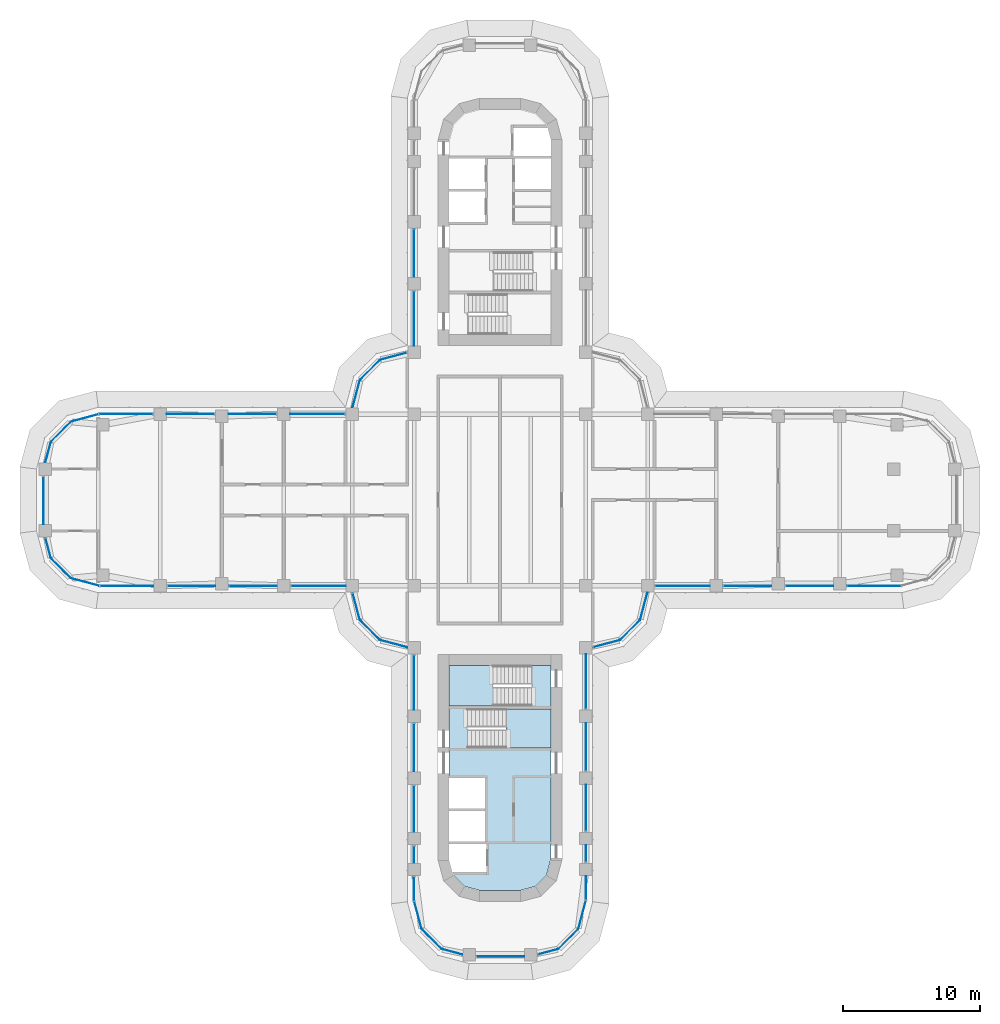
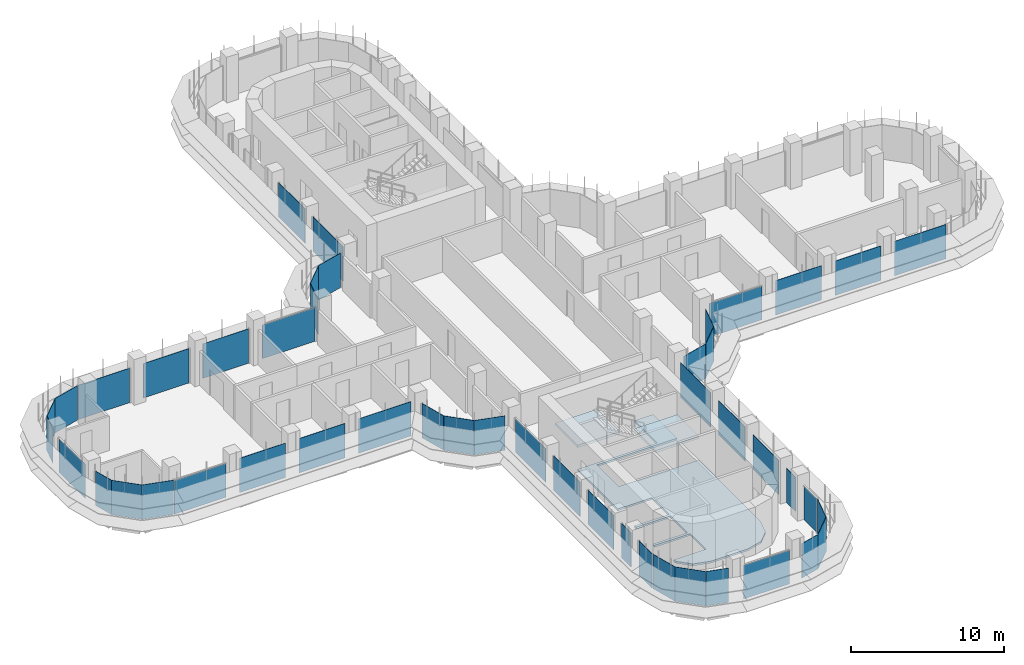
# One storey, part 13 of 23: 47 plates, 3 slabs, 31 elements without a shape of their own.
"""IFC4 building model written with IfcOpenShell, lengths in metres."""

from ifc_helpers import new_model, si_unit, direction, frame, origin, place, context, subcontext, project, spatial, polyline, outline, extrude, source, transform, mapped, material, layer, layer_set, type_object, element, aggregate, save


model = new_model("IFC4")

# Units and contexts
model_context = context("Model", 3, precision=1e-05, world=origin(), true_north=direction((0.0, 1.0)))
body_context = subcontext(model_context, "Body", "Model", "MODEL_VIEW")
ifc_project = project(units=[si_unit("LENGTHUNIT", "METRE"), si_unit("AREAUNIT", "SQUARE_METRE"), si_unit("VOLUMEUNIT", "CUBIC_METRE"), si_unit("PLANEANGLEUNIT", "RADIAN"), si_unit("MASSUNIT", "GRAM", prefix="KILO")], contexts=[model_context])

# Site, building, storey
site_placement = place(None, origin())
site = spatial("IfcSite", under=ifc_project, at=site_placement, CompositionType="ELEMENT")
building_placement = place(site_placement, origin())
building = spatial("IfcBuilding", under=site, at=building_placement, Name="Zarbagh Exchange Tower", CompositionType="ELEMENT")
storey_placement = place(building_placement, frame((0.0, 0.0, 86.60009765625)))
storey = spatial("IfcBuildingStorey", under=building, at=storey_placement, Name="L19", CompositionType="ELEMENT", Elevation=86.60009765625)

# Slab
ifc_material_1 = material(Name="Concrete C40/50", Category="concrete")
ifc_layer_1 = layer(ifc_material_1, 0.14990234375)
ifc_layer_set_1 = layer_set([ifc_layer_1], Name="Core floor slab 150 C40/50")
slab_type_1 = type_object("IfcSlabType", Name="Core floor slab 150 C40/50", PredefinedType="FLOOR", material=ifc_layer_set_1)
slab_1_placement = place(storey_placement, frame((0.0, 0.0, -0.150146484375)))
element("IfcSlab", 1, at=slab_1_placement, inside=storey, type_object=slab_type_1, Name="S17 core S", PredefinedType="FLOOR", context=body_context, shape_type="SweptSolid", body=[
    extrude(outline(polyline([(-2.5859375, -28.130859375), (-3.380859375, -27.3359375), (-3.646484375, -26.3447265625), (-3.444091796875, -27.10009765625), (-1.0, -27.10009765625), (-1.0, -25.050048828125), (-3.699951171875, -25.050048828125), (-3.699951171875, -24.85009765625), (-1.10009765625, -24.85009765625), (-1.10009765625, -22.64990234375), (-3.699951171875, -22.64990234375), (-3.699951171875, -22.449951171875), (-1.10009765625, -22.449951171875), (-1.10009765625, -20.25), (-3.699951171875, -20.25), (-3.699951171875, -15.0), (2.300048828125, -15.0), (2.300048828125, -12.050048828125), (3.699951171875, -12.050048828125), (3.699951171875, -15.199951171875), (-2.35009765625, -15.199951171875), (-2.35009765625, -18.050048828125), (3.699951171875, -18.050048828125), (3.699951171875, -26.144775390625), (3.380859375, -27.3359375), (2.5859375, -28.130859375), (1.394775390625, -28.449951171875), (-1.394775390625, -28.449951171875), (-2.5859375, -28.130859375)])), origin(), (0.0, 0.0, 1.0), 0.150146484375),
])

# Stair, slab
stair_type = type_object("IfcStairType", Name="Exit stair two-flight half-turn", PredefinedType="HALF_TURN_STAIR", material=ifc_material_1)
stair_1_placement = place(storey_placement, origin())
stair_1 = element("IfcStair", 2, at=stair_1_placement, inside=storey, type_object=stair_type, Name="exit stair ST3", PredefinedType="HALF_TURN_STAIR")
ifc_layer_2 = layer(ifc_material_1, 0.199951171875)
ifc_layer_set_2 = layer_set([ifc_layer_2], Name="Stair landing 200 mm")
slab_type_2 = type_object("IfcSlabType", Name="Stair landing 200 mm", PredefinedType="LANDING", material=ifc_layer_set_2)
slab_2_placement = place(storey_placement, frame((0.0, 0.0, 1.699951171875)))
slab_2 = element("IfcSlab", 3, at=slab_2_placement, type_object=slab_type_2, Name="ST3 landing 1", PredefinedType="LANDING", context=body_context, shape_type="SweptSolid", body=[
    extrude(outline(polyline([(0.449951171875, -18.050048828125), (3.699951171875, -18.050048828125), (3.699951171875, -15.199951171875), (0.449951171875, -15.199951171875), (0.449951171875, -18.050048828125)])), origin(), (0.0, 0.0, 1.0), 0.199951171875),
])
aggregate(stair_1, [slab_2])

stair_2_placement = place(storey_placement, origin())
stair_2 = element("IfcStair", 4, at=stair_2_placement, inside=storey, type_object=stair_type, Name="exit stair ST4", PredefinedType="HALF_TURN_STAIR")
slab_3_placement = place(storey_placement, frame((0.0, 0.0, 1.699951171875)))
slab_3 = element("IfcSlab", 5, at=slab_3_placement, type_object=slab_type_2, Name="ST4 landing 1", PredefinedType="LANDING", context=body_context, shape_type="SweptSolid", body=[
    extrude(outline(polyline([(-0.5, -12.050048828125), (-3.699951171875, -12.050048828125), (-3.699951171875, -15.0), (-0.5, -15.0), (-0.5, -12.050048828125)])), origin(), (0.0, 0.0, 1.0), 0.199951171875),
])
aggregate(stair_2, [slab_3])

# Curtain wall, plate
ifc_material_2 = material(Name="Anodised aluminium frame and glazing", Category="aluminium")
curtain_wall_type = type_object("IfcCurtainWallType", Name="CWA Ribbon glazing, lower zones", PredefinedType="NOTDEFINED", material=ifc_material_2)
curtain_wall_1_placement = place(storey_placement, origin())
curtain_wall_1 = element("IfcCurtainWall", 6, at=curtain_wall_1_placement, inside=storey, type_object=curtain_wall_type, Name="CWA01 curtain wall", PredefinedType="NOTDEFINED")
ifc_material_3 = material(Name="Low-e double glazed unit, 6+12+6 mm")
ifc_layer_3 = layer(ifc_material_3, 0.028076171875)
ifc_layer_set_3 = layer_set([ifc_layer_3], Name="PAA Glazing panel, Low-e double glazed unit, 6+12+6 mm")
plate_type = type_object("IfcPlateType", Name="PAA Glazing panel, Low-e double glazed unit, 6+12+6 mm", PredefinedType="CURTAIN_PANEL", material=ifc_layer_set_3)
shared_shape_1 = source(origin(), body_context, "Body", "SweptSolid", [
    extrude(outline(polyline([(0.0, -0.013916015625), (1.494140625, -0.013916015625), (1.494140625, 0.013916015625), (0.0, 0.013916015625), (0.0, -0.013916015625)])), origin(), (0.0, 0.0, 1.0), 2.75),
])
placement = place(storey_placement, origin())
plate_1 = element("IfcPlate", 7, at=placement, type_object=plate_type, Name="CWA01 glazing panel 1.1", PredefinedType="CURTAIN_PANEL", context=body_context, shape_type="MappedRepresentation", body=[
    mapped(shared_shape_1, transform((2.7978515625, -33.08544921875, 0.0), x_axis=(0.965924289636, 0.258824779902, 0.0), y_axis=(-0.258824779902, 0.965924289636, 0.0), z_axis=(0.0, 0.0, 1.0))),
])
aggregate(curtain_wall_1, [plate_1])

curtain_wall_2_placement = place(storey_placement, origin())
curtain_wall_2 = element("IfcCurtainWall", 8, at=curtain_wall_2_placement, inside=storey, type_object=curtain_wall_type, Name="CWA37 curtain wall", PredefinedType="NOTDEFINED")
plate_2 = element("IfcPlate", 9, at=placement, type_object=plate_type, Name="CWA37 glazing panel 1.1", PredefinedType="CURTAIN_PANEL", context=body_context, shape_type="MappedRepresentation", body=[
    mapped(shared_shape_1, transform((-33.08544921875, -2.7978515625, 0.0), x_axis=(0.258824779902, -0.965924289636, 0.0), y_axis=(0.965924289636, 0.258824779902, 0.0), z_axis=(0.0, 0.0, 1.0))),
])
aggregate(curtain_wall_2, [plate_2])

curtain_wall_3_placement = place(storey_placement, origin())
curtain_wall_3 = element("IfcCurtainWall", 10, at=curtain_wall_3_placement, inside=storey, type_object=curtain_wall_type, Name="CWA02 curtain wall", PredefinedType="NOTDEFINED")
shared_shape_2 = source(origin(), body_context, "Body", "SweptSolid", [
    extrude(outline(polyline([(0.0, -0.013916015625), (2.061279296875, -0.013916015625), (2.061279296875, 0.013916015625), (0.0, 0.013916015625), (0.0, -0.013916015625)])), origin(), (0.0, 0.0, 1.0), 2.75),
])
plate_3 = element("IfcPlate", 11, at=placement, type_object=plate_type, Name="CWA02 glazing panel 1.1", PredefinedType="CURTAIN_PANEL", context=body_context, shape_type="MappedRepresentation", body=[
    mapped(shared_shape_2, transform((4.2412109375, -32.69873046875, 0.0), x_axis=(0.707106781187, 0.707106781187, 0.0), y_axis=(-0.707106781187, 0.707106781187, 0.0), z_axis=(0.0, 0.0, 1.0))),
])
aggregate(curtain_wall_3, [plate_3])

curtain_wall_4_placement = place(storey_placement, origin())
curtain_wall_4 = element("IfcCurtainWall", 12, at=curtain_wall_4_placement, inside=storey, type_object=curtain_wall_type, Name="CWA06 curtain wall", PredefinedType="NOTDEFINED")
plate_4 = element("IfcPlate", 13, at=placement, type_object=plate_type, Name="CWA06 glazing panel 1.1", PredefinedType="CURTAIN_PANEL", context=body_context, shape_type="MappedRepresentation", body=[
    mapped(shared_shape_2, transform((8.7412109375, -10.19873046875, 0.0), x_axis=(0.707106781187, 0.707106781187, 0.0), y_axis=(-0.707106781187, 0.707106781187, 0.0), z_axis=(0.0, 0.0, 1.0))),
])
aggregate(curtain_wall_4, [plate_4])

curtain_wall_5_placement = place(storey_placement, origin())
curtain_wall_5 = element("IfcCurtainWall", 14, at=curtain_wall_5_placement, inside=storey, type_object=curtain_wall_type, Name="CWA30 curtain wall", PredefinedType="NOTDEFINED")
plate_5 = element("IfcPlate", 15, at=placement, type_object=plate_type, Name="CWA30 glazing panel 1.1", PredefinedType="CURTAIN_PANEL", context=body_context, shape_type="MappedRepresentation", body=[
    mapped(shared_shape_2, transform((-8.7412109375, 10.19873046875, 0.0), x_axis=(-0.707106781187, -0.707106781187, 0.0), y_axis=(0.707106781187, -0.707106781187, 0.0), z_axis=(0.0, 0.0, 1.0))),
])
aggregate(curtain_wall_5, [plate_5])

curtain_wall_6_placement = place(storey_placement, origin())
curtain_wall_6 = element("IfcCurtainWall", 16, at=curtain_wall_6_placement, inside=storey, type_object=curtain_wall_type, Name="CWA34 curtain wall", PredefinedType="NOTDEFINED")
plate_6 = element("IfcPlate", 17, at=placement, type_object=plate_type, Name="CWA34 glazing panel 1.1", PredefinedType="CURTAIN_PANEL", context=body_context, shape_type="MappedRepresentation", body=[
    mapped(shared_shape_2, transform((-31.2412109375, 5.69873046875, 0.0), x_axis=(-0.707106781187, -0.707106781187, 0.0), y_axis=(0.707106781187, -0.707106781187, 0.0), z_axis=(0.0, 0.0, 1.0))),
])
aggregate(curtain_wall_6, [plate_6])

curtain_wall_7_placement = place(storey_placement, origin())
curtain_wall_7 = element("IfcCurtainWall", 18, at=curtain_wall_7_placement, inside=storey, type_object=curtain_wall_type, Name="CWA38 curtain wall", PredefinedType="NOTDEFINED")
plate_7 = element("IfcPlate", 19, at=placement, type_object=plate_type, Name="CWA38 glazing panel 1.1", PredefinedType="CURTAIN_PANEL", context=body_context, shape_type="MappedRepresentation", body=[
    mapped(shared_shape_2, transform((-32.69873046875, -4.2412109375, 0.0), x_axis=(0.707106781187, -0.707106781187, 0.0), y_axis=(0.707106781187, 0.707106781187, 0.0), z_axis=(0.0, 0.0, 1.0))),
])
aggregate(curtain_wall_7, [plate_7])

curtain_wall_8_placement = place(storey_placement, origin())
curtain_wall_8 = element("IfcCurtainWall", 20, at=curtain_wall_8_placement, inside=storey, type_object=curtain_wall_type, Name="CWA42 curtain wall", PredefinedType="NOTDEFINED")
plate_8 = element("IfcPlate", 21, at=placement, type_object=plate_type, Name="CWA42 glazing panel 1.1", PredefinedType="CURTAIN_PANEL", context=body_context, shape_type="MappedRepresentation", body=[
    mapped(shared_shape_2, transform((-10.19873046875, -8.7412109375, 0.0), x_axis=(0.707106781187, -0.707106781187, 0.0), y_axis=(0.707106781187, 0.707106781187, 0.0), z_axis=(0.0, 0.0, 1.0))),
])
aggregate(curtain_wall_8, [plate_8])

curtain_wall_9_placement = place(storey_placement, origin())
curtain_wall_9 = element("IfcCurtainWall", 22, at=curtain_wall_9_placement, inside=storey, type_object=curtain_wall_type, Name="CWA46 curtain wall", PredefinedType="NOTDEFINED")
plate_9 = element("IfcPlate", 23, at=placement, type_object=plate_type, Name="CWA46 glazing panel 1.1", PredefinedType="CURTAIN_PANEL", context=body_context, shape_type="MappedRepresentation", body=[
    mapped(shared_shape_2, transform((-5.69873046875, -31.2412109375, 0.0), x_axis=(0.707106781187, -0.707106781187, 0.0), y_axis=(0.707106781187, 0.707106781187, 0.0), z_axis=(0.0, 0.0, 1.0))),
])
aggregate(curtain_wall_9, [plate_9])

curtain_wall_10_placement = place(storey_placement, origin())
curtain_wall_10 = element("IfcCurtainWall", 24, at=curtain_wall_10_placement, inside=storey, type_object=curtain_wall_type, Name="CWA03 curtain wall", PredefinedType="NOTDEFINED")
shared_shape_3 = source(origin(), body_context, "Body", "SweptSolid", [
    extrude(outline(polyline([(0.0, -0.013916015625), (2.129638671875, -0.013916015625), (2.129638671875, 0.013916015625), (0.0, 0.013916015625), (0.0, -0.013916015625)])), origin(), (0.0, 0.0, 1.0), 2.75),
])
plate_10 = element("IfcPlate", 25, at=placement, type_object=plate_type, Name="CWA03 glazing panel 1.1", PredefinedType="CURTAIN_PANEL", context=body_context, shape_type="MappedRepresentation", body=[
    mapped(shared_shape_3, transform((5.69873046875, -31.2412109375, 0.0), x_axis=(0.258824779902, 0.965924289636, 0.0), y_axis=(-0.965924289636, 0.258824779902, 0.0), z_axis=(0.0, 0.0, 1.0))),
])
aggregate(curtain_wall_10, [plate_10])

curtain_wall_11_placement = place(storey_placement, origin())
curtain_wall_11 = element("IfcCurtainWall", 26, at=curtain_wall_11_placement, inside=storey, type_object=curtain_wall_type, Name="CWA39 curtain wall", PredefinedType="NOTDEFINED")
plate_11 = element("IfcPlate", 27, at=placement, type_object=plate_type, Name="CWA39 glazing panel 1.1", PredefinedType="CURTAIN_PANEL", context=body_context, shape_type="MappedRepresentation", body=[
    mapped(shared_shape_3, transform((-31.2412109375, -5.69873046875, 0.0), x_axis=(0.965924289636, -0.258824779902, 0.0), y_axis=(0.258824779902, 0.965924289636, 0.0), z_axis=(0.0, 0.0, 1.0))),
])
aggregate(curtain_wall_11, [plate_11])

# Curtain wall, plates
curtain_wall_12_placement = place(storey_placement, origin())
curtain_wall_12 = element("IfcCurtainWall", 28, at=curtain_wall_12_placement, inside=storey, type_object=curtain_wall_type, Name="CWA04 curtain wall", PredefinedType="NOTDEFINED")
shared_shape_4 = source(origin(), body_context, "Body", "SweptSolid", [
    extrude(outline(polyline([(0.0, -0.013916015625), (1.734130859375, -0.013916015625), (1.734130859375, 0.013916015625), (0.0, 0.013916015625), (0.0, -0.013916015625)])), origin(), (0.0, 0.0, 1.0), 2.68994140625),
])
plate_12 = element("IfcPlate", 29, at=placement, type_object=plate_type, Name="CWA04 glazing panel 1.1", PredefinedType="CURTAIN_PANEL", context=body_context, shape_type="MappedRepresentation", body=[
    mapped(shared_shape_4, transform((6.25, -29.124267578125, 0.0), x_axis=(0.0, 1.0, 0.0), y_axis=(-1.0, 0.0, 0.0), z_axis=(0.0, 0.0, 1.0))),
])
shared_shape_5 = source(origin(), body_context, "Body", "SweptSolid", [
    extrude(outline(polyline([(0.0, -0.013916015625), (1.2099609375, -0.013916015625), (1.2099609375, 0.013916015625), (0.0, 0.013916015625), (0.0, -0.013916015625)])), origin(), (0.0, 0.0, 1.0), 2.75),
])
plate_13 = element("IfcPlate", 30, at=placement, type_object=plate_type, Name="CWA04 glazing panel 2.1", PredefinedType="CURTAIN_PANEL", context=body_context, shape_type="MappedRepresentation", body=[
    mapped(shared_shape_5, transform((6.25, -26.349853515625, 0.0), x_axis=(0.0, 1.0, 0.0), y_axis=(-1.0, 0.0, 0.0), z_axis=(0.0, 0.0, 1.0))),
])

# Curtain wall, plate
curtain_wall_13_placement = place(storey_placement, origin())
curtain_wall_13 = element("IfcCurtainWall", 31, at=curtain_wall_13_placement, inside=storey, type_object=curtain_wall_type, Name="CWA44 curtain wall", PredefinedType="NOTDEFINED")
plate_14 = element("IfcPlate", 32, at=placement, type_object=plate_type, Name="CWA44 glazing panel 4.1", PredefinedType="CURTAIN_PANEL", context=body_context, shape_type="MappedRepresentation", body=[
    mapped(shared_shape_5, transform((-6.25, -25.199951171875, 0.0), x_axis=(0.0, -1.0, 0.0), y_axis=(1.0, 0.0, 0.0), z_axis=(0.0, 0.0, 1.0))),
])

# Plate
shared_shape_6 = source(origin(), body_context, "Body", "SweptSolid", [
    extrude(outline(polyline([(0.0, -0.013916015625), (3.360107421875, -0.013916015625), (3.360107421875, 0.013916015625), (0.0, 0.013916015625), (0.0, -0.013916015625)])), origin(), (0.0, 0.0, 1.0), 2.75),
])
plate_15 = element("IfcPlate", 33, at=placement, type_object=plate_type, Name="CWA04 glazing panel 3.1", PredefinedType="CURTAIN_PANEL", context=body_context, shape_type="MappedRepresentation", body=[
    mapped(shared_shape_6, transform((6.25, -24.099853515625, 0.0), x_axis=(0.0, 1.0, 0.0), y_axis=(-1.0, 0.0, 0.0), z_axis=(0.0, 0.0, 1.0))),
])

plate_16 = element("IfcPlate", 34, at=placement, type_object=plate_type, Name="CWA44 glazing panel 3.1", PredefinedType="CURTAIN_PANEL", context=body_context, shape_type="MappedRepresentation", body=[
    mapped(shared_shape_6, transform((-6.25, -20.800048828125, 0.0), x_axis=(0.0, -1.0, 0.0), y_axis=(1.0, 0.0, 0.0), z_axis=(0.0, 0.0, 1.0))),
])

shared_shape_7 = source(origin(), body_context, "Body", "SweptSolid", [
    extrude(outline(polyline([(0.0, -0.013916015625), (3.4599609375, -0.013916015625), (3.4599609375, 0.013916015625), (0.0, 0.013916015625), (0.0, -0.013916015625)])), origin(), (0.0, 0.0, 1.0), 2.75),
])
plate_17 = element("IfcPlate", 35, at=placement, type_object=plate_type, Name="CWA04 glazing panel 4.1", PredefinedType="CURTAIN_PANEL", context=body_context, shape_type="MappedRepresentation", body=[
    mapped(shared_shape_7, transform((6.25, -19.699951171875, 0.0), x_axis=(0.0, 1.0, 0.0), y_axis=(-1.0, 0.0, 0.0), z_axis=(0.0, 0.0, 1.0))),
])

# Curtain wall, plates
curtain_wall_14_placement = place(storey_placement, origin())
curtain_wall_14 = element("IfcCurtainWall", 36, at=curtain_wall_14_placement, inside=storey, type_object=curtain_wall_type, Name="CWA08 curtain wall", PredefinedType="NOTDEFINED")
plate_18 = element("IfcPlate", 37, at=placement, type_object=plate_type, Name="CWA08 glazing panel 2.1", PredefinedType="CURTAIN_PANEL", context=body_context, shape_type="MappedRepresentation", body=[
    mapped(shared_shape_7, transform((16.300048828125, -6.25, 0.0), x_axis=(1.0, 0.0, 0.0), y_axis=(0.0, 1.0, 0.0), z_axis=(0.0, 0.0, 1.0))),
])
plate_19 = element("IfcPlate", 38, at=placement, type_object=plate_type, Name="CWA08 glazing panel 3.1", PredefinedType="CURTAIN_PANEL", context=body_context, shape_type="MappedRepresentation", body=[
    mapped(shared_shape_7, transform((20.800048828125, -6.25, 0.0), x_axis=(1.0, 0.0, 0.0), y_axis=(0.0, 1.0, 0.0), z_axis=(0.0, 0.0, 1.0))),
])

# Curtain wall, plate
curtain_wall_15_placement = place(storey_placement, origin())
curtain_wall_15 = element("IfcCurtainWall", 39, at=curtain_wall_15_placement, inside=storey, type_object=curtain_wall_type, Name="CWA28 curtain wall", PredefinedType="NOTDEFINED")
plate_20 = element("IfcPlate", 40, at=placement, type_object=plate_type, Name="CWA28 glazing panel 4.1", PredefinedType="CURTAIN_PANEL", context=body_context, shape_type="MappedRepresentation", body=[
    mapped(shared_shape_7, transform((-6.25, 19.699951171875, 0.0), x_axis=(0.0, -1.0, 0.0), y_axis=(1.0, 0.0, 0.0), z_axis=(0.0, 0.0, 1.0))),
])

# Curtain wall, plates
curtain_wall_16_placement = place(storey_placement, origin())
curtain_wall_16 = element("IfcCurtainWall", 41, at=curtain_wall_16_placement, inside=storey, type_object=curtain_wall_type, Name="CWA32 curtain wall", PredefinedType="NOTDEFINED")
plate_21 = element("IfcPlate", 42, at=placement, type_object=plate_type, Name="CWA32 glazing panel 2.1", PredefinedType="CURTAIN_PANEL", context=body_context, shape_type="MappedRepresentation", body=[
    mapped(shared_shape_7, transform((-16.300048828125, 6.25, 0.0), x_axis=(-1.0, 0.0, 0.0), y_axis=(0.0, -1.0, 0.0), z_axis=(0.0, 0.0, 1.0))),
])
plate_22 = element("IfcPlate", 43, at=placement, type_object=plate_type, Name="CWA32 glazing panel 3.1", PredefinedType="CURTAIN_PANEL", context=body_context, shape_type="MappedRepresentation", body=[
    mapped(shared_shape_7, transform((-20.800048828125, 6.25, 0.0), x_axis=(-1.0, 0.0, 0.0), y_axis=(0.0, -1.0, 0.0), z_axis=(0.0, 0.0, 1.0))),
])

curtain_wall_17_placement = place(storey_placement, origin())
curtain_wall_17 = element("IfcCurtainWall", 44, at=curtain_wall_17_placement, inside=storey, type_object=curtain_wall_type, Name="CWA40 curtain wall", PredefinedType="NOTDEFINED")
plate_23 = element("IfcPlate", 45, at=placement, type_object=plate_type, Name="CWA40 glazing panel 2.1", PredefinedType="CURTAIN_PANEL", context=body_context, shape_type="MappedRepresentation", body=[
    mapped(shared_shape_7, transform((-24.199951171875, -6.25, 0.0), x_axis=(1.0, 0.0, 0.0), y_axis=(0.0, 1.0, 0.0), z_axis=(0.0, 0.0, 1.0))),
])
plate_24 = element("IfcPlate", 46, at=placement, type_object=plate_type, Name="CWA40 glazing panel 3.1", PredefinedType="CURTAIN_PANEL", context=body_context, shape_type="MappedRepresentation", body=[
    mapped(shared_shape_7, transform((-19.699951171875, -6.25, 0.0), x_axis=(1.0, 0.0, 0.0), y_axis=(0.0, 1.0, 0.0), z_axis=(0.0, 0.0, 1.0))),
])

# Plate
plate_25 = element("IfcPlate", 47, at=placement, type_object=plate_type, Name="CWA44 glazing panel 2.1", PredefinedType="CURTAIN_PANEL", context=body_context, shape_type="MappedRepresentation", body=[
    mapped(shared_shape_7, transform((-6.25, -16.300048828125, 0.0), x_axis=(0.0, -1.0, 0.0), y_axis=(1.0, 0.0, 0.0), z_axis=(0.0, 0.0, 1.0))),
])

shared_shape_8 = source(origin(), body_context, "Body", "SweptSolid", [
    extrude(outline(polyline([(0.0, -0.013916015625), (3.9599609375, -0.013916015625), (3.9599609375, 0.013916015625), (0.0, 0.013916015625), (0.0, -0.013916015625)])), origin(), (0.0, 0.0, 1.0), 2.75),
])
plate_26 = element("IfcPlate", 48, at=placement, type_object=plate_type, Name="CWA04 glazing panel 5.1", PredefinedType="CURTAIN_PANEL", context=body_context, shape_type="MappedRepresentation", body=[
    mapped(shared_shape_8, transform((6.25, -15.199951171875, 0.0), x_axis=(0.0, 1.0, 0.0), y_axis=(-1.0, 0.0, 0.0), z_axis=(0.0, 0.0, 1.0))),
])

aggregate(curtain_wall_12, [plate_12, plate_13, plate_15, plate_17, plate_26])

plate_27 = element("IfcPlate", 49, at=placement, type_object=plate_type, Name="CWA28 glazing panel 5.1", PredefinedType="CURTAIN_PANEL", context=body_context, shape_type="MappedRepresentation", body=[
    mapped(shared_shape_8, transform((-6.25, 15.199951171875, 0.0), x_axis=(0.0, -1.0, 0.0), y_axis=(1.0, 0.0, 0.0), z_axis=(0.0, 0.0, 1.0))),
])

aggregate(curtain_wall_15, [plate_20, plate_27])

plate_28 = element("IfcPlate", 50, at=placement, type_object=plate_type, Name="CWA40 glazing panel 4.1", PredefinedType="CURTAIN_PANEL", context=body_context, shape_type="MappedRepresentation", body=[
    mapped(shared_shape_8, transform((-15.199951171875, -6.25, 0.0), x_axis=(1.0, 0.0, 0.0), y_axis=(0.0, 1.0, 0.0), z_axis=(0.0, 0.0, 1.0))),
])

# Curtain wall, plate
curtain_wall_18_placement = place(storey_placement, origin())
curtain_wall_18 = element("IfcCurtainWall", 51, at=curtain_wall_18_placement, inside=storey, type_object=curtain_wall_type, Name="CWA05 curtain wall", PredefinedType="NOTDEFINED")
shared_shape_9 = source(origin(), body_context, "Body", "SweptSolid", [
    extrude(outline(polyline([(0.0, -0.013916015625), (2.01171875, -0.013916015625), (2.01171875, 0.013916015625), (0.0, 0.013916015625), (0.0, -0.013916015625)])), origin(), (0.0, 0.0, 1.0), 2.75),
])
plate_29 = element("IfcPlate", 52, at=placement, type_object=plate_type, Name="CWA05 glazing panel 1.1", PredefinedType="CURTAIN_PANEL", context=body_context, shape_type="MappedRepresentation", body=[
    mapped(shared_shape_9, transform((6.7978515625, -10.719482421875, 0.0), x_axis=(0.965924289636, 0.258824779902, 0.0), y_axis=(-0.258824779902, 0.965924289636, 0.0), z_axis=(0.0, 0.0, 1.0))),
])
aggregate(curtain_wall_18, [plate_29])

curtain_wall_19_placement = place(storey_placement, origin())
curtain_wall_19 = element("IfcCurtainWall", 53, at=curtain_wall_19_placement, inside=storey, type_object=curtain_wall_type, Name="CWA29 curtain wall", PredefinedType="NOTDEFINED")
plate_30 = element("IfcPlate", 54, at=placement, type_object=plate_type, Name="CWA29 glazing panel 1.1", PredefinedType="CURTAIN_PANEL", context=body_context, shape_type="MappedRepresentation", body=[
    mapped(shared_shape_9, transform((-6.7978515625, 10.719482421875, 0.0), x_axis=(-0.965924289636, -0.258824779902, 0.0), y_axis=(0.258824779902, -0.965924289636, 0.0), z_axis=(0.0, 0.0, 1.0))),
])
aggregate(curtain_wall_19, [plate_30])

curtain_wall_20_placement = place(storey_placement, origin())
curtain_wall_20 = element("IfcCurtainWall", 55, at=curtain_wall_20_placement, inside=storey, type_object=curtain_wall_type, Name="CWA41 curtain wall", PredefinedType="NOTDEFINED")
plate_31 = element("IfcPlate", 56, at=placement, type_object=plate_type, Name="CWA41 glazing panel 1.1", PredefinedType="CURTAIN_PANEL", context=body_context, shape_type="MappedRepresentation", body=[
    mapped(shared_shape_9, transform((-10.719482421875, -6.7978515625, 0.0), x_axis=(0.258824779902, -0.965924289636, 0.0), y_axis=(0.965924289636, 0.258824779902, 0.0), z_axis=(0.0, 0.0, 1.0))),
])
aggregate(curtain_wall_20, [plate_31])

curtain_wall_21_placement = place(storey_placement, origin())
curtain_wall_21 = element("IfcCurtainWall", 57, at=curtain_wall_21_placement, inside=storey, type_object=curtain_wall_type, Name="CWA07 curtain wall", PredefinedType="NOTDEFINED")
shared_shape_10 = source(origin(), body_context, "Body", "SweptSolid", [
    extrude(outline(polyline([(0.0, -0.013916015625), (2.07177734375, -0.013916015625), (2.07177734375, 0.013916015625), (0.0, 0.013916015625), (0.0, -0.013916015625)])), origin(), (0.0, 0.0, 1.0), 2.75),
])
plate_32 = element("IfcPlate", 58, at=placement, type_object=plate_type, Name="CWA07 glazing panel 1.1", PredefinedType="CURTAIN_PANEL", context=body_context, shape_type="MappedRepresentation", body=[
    mapped(shared_shape_10, transform((10.19873046875, -8.7412109375, 0.0), x_axis=(0.258824779902, 0.965924289636, 0.0), y_axis=(-0.965924289636, 0.258824779902, 0.0), z_axis=(0.0, 0.0, 1.0))),
])
aggregate(curtain_wall_21, [plate_32])

curtain_wall_22_placement = place(storey_placement, origin())
curtain_wall_22 = element("IfcCurtainWall", 59, at=curtain_wall_22_placement, inside=storey, type_object=curtain_wall_type, Name="CWA31 curtain wall", PredefinedType="NOTDEFINED")
plate_33 = element("IfcPlate", 60, at=placement, type_object=plate_type, Name="CWA31 glazing panel 1.1", PredefinedType="CURTAIN_PANEL", context=body_context, shape_type="MappedRepresentation", body=[
    mapped(shared_shape_10, transform((-10.19873046875, 8.7412109375, 0.0), x_axis=(-0.258824779902, -0.965924289636, 0.0), y_axis=(0.965924289636, -0.258824779902, 0.0), z_axis=(0.0, 0.0, 1.0))),
])
aggregate(curtain_wall_22, [plate_33])

curtain_wall_23_placement = place(storey_placement, origin())
curtain_wall_23 = element("IfcCurtainWall", 61, at=curtain_wall_23_placement, inside=storey, type_object=curtain_wall_type, Name="CWA43 curtain wall", PredefinedType="NOTDEFINED")
plate_34 = element("IfcPlate", 62, at=placement, type_object=plate_type, Name="CWA43 glazing panel 1.1", PredefinedType="CURTAIN_PANEL", context=body_context, shape_type="MappedRepresentation", body=[
    mapped(shared_shape_10, transform((-8.7412109375, -10.19873046875, 0.0), x_axis=(0.965924289636, -0.258824779902, 0.0), y_axis=(0.258824779902, 0.965924289636, 0.0), z_axis=(0.0, 0.0, 1.0))),
])
aggregate(curtain_wall_23, [plate_34])

# Plate
shared_shape_11 = source(origin(), body_context, "Body", "SweptSolid", [
    extrude(outline(polyline([(0.0, -0.013916015625), (3.9599609375, -0.013916015625), (3.9599609375, 0.013916015625), (0.0, 0.013916015625), (0.0, -0.013916015625)])), origin(), (0.0, 0.0, 1.0), 2.68994140625),
])
plate_35 = element("IfcPlate", 63, at=placement, type_object=plate_type, Name="CWA08 glazing panel 1.1", PredefinedType="CURTAIN_PANEL", context=body_context, shape_type="MappedRepresentation", body=[
    mapped(shared_shape_11, transform((11.300048828125, -6.25, 0.0), x_axis=(1.0, 0.0, 0.0), y_axis=(0.0, 1.0, 0.0), z_axis=(0.0, 0.0, 1.0))),
])

plate_36 = element("IfcPlate", 64, at=placement, type_object=plate_type, Name="CWA32 glazing panel 1.1", PredefinedType="CURTAIN_PANEL", context=body_context, shape_type="MappedRepresentation", body=[
    mapped(shared_shape_11, transform((-11.300048828125, 6.25, 0.0), x_axis=(-1.0, 0.0, 0.0), y_axis=(0.0, -1.0, 0.0), z_axis=(0.0, 0.0, 1.0))),
])

plate_37 = element("IfcPlate", 65, at=placement, type_object=plate_type, Name="CWA44 glazing panel 1.1", PredefinedType="CURTAIN_PANEL", context=body_context, shape_type="MappedRepresentation", body=[
    mapped(shared_shape_11, transform((-6.25, -11.300048828125, 0.0), x_axis=(0.0, -1.0, 0.0), y_axis=(1.0, 0.0, 0.0), z_axis=(0.0, 0.0, 1.0))),
])

shared_shape_12 = source(origin(), body_context, "Body", "SweptSolid", [
    extrude(outline(polyline([(0.0, -0.013916015625), (3.884033203125, -0.013916015625), (3.884033203125, 0.013916015625), (0.0, 0.013916015625), (0.0, -0.013916015625)])), origin(), (0.0, 0.0, 1.0), 2.75),
])
plate_38 = element("IfcPlate", 66, at=placement, type_object=plate_type, Name="CWA08 glazing panel 4.1", PredefinedType="CURTAIN_PANEL", context=body_context, shape_type="MappedRepresentation", body=[
    mapped(shared_shape_12, transform((25.300048828125, -6.25, 0.0), x_axis=(1.0, 0.0, 0.0), y_axis=(0.0, 1.0, 0.0), z_axis=(0.0, 0.0, 1.0))),
])

aggregate(curtain_wall_14, [plate_35, plate_18, plate_19, plate_38])

plate_39 = element("IfcPlate", 67, at=placement, type_object=plate_type, Name="CWA32 glazing panel 4.1", PredefinedType="CURTAIN_PANEL", context=body_context, shape_type="MappedRepresentation", body=[
    mapped(shared_shape_12, transform((-25.300048828125, 6.25, 0.0), x_axis=(-1.0, 0.0, 0.0), y_axis=(0.0, -1.0, 0.0), z_axis=(0.0, 0.0, 1.0))),
])

aggregate(curtain_wall_16, [plate_36, plate_21, plate_22, plate_39])

# Curtain wall, plate
curtain_wall_24_placement = place(storey_placement, origin())
curtain_wall_24 = element("IfcCurtainWall", 68, at=curtain_wall_24_placement, inside=storey, type_object=curtain_wall_type, Name="CWA33 curtain wall", PredefinedType="NOTDEFINED")
shared_shape_13 = source(origin(), body_context, "Body", "SweptSolid", [
    extrude(outline(polyline([(0.0, -0.013916015625), (2.069580078125, -0.013916015625), (2.069580078125, 0.013916015625), (0.0, 0.013916015625), (0.0, -0.013916015625)])), origin(), (0.0, 0.0, 1.0), 2.75),
])
plate_40 = element("IfcPlate", 69, at=placement, type_object=plate_type, Name="CWA33 glazing panel 1.1", PredefinedType="CURTAIN_PANEL", context=body_context, shape_type="MappedRepresentation", body=[
    mapped(shared_shape_13, transform((-29.2421875, 6.234375, 0.0), x_axis=(-0.965924289636, -0.258824779902, 0.0), y_axis=(0.258824779902, -0.965924289636, 0.0), z_axis=(0.0, 0.0, 1.0))),
])
aggregate(curtain_wall_24, [plate_40])

curtain_wall_25_placement = place(storey_placement, origin())
curtain_wall_25 = element("IfcCurtainWall", 70, at=curtain_wall_25_placement, inside=storey, type_object=curtain_wall_type, Name="CWA45 curtain wall", PredefinedType="NOTDEFINED")
plate_41 = element("IfcPlate", 71, at=placement, type_object=plate_type, Name="CWA45 glazing panel 1.1", PredefinedType="CURTAIN_PANEL", context=body_context, shape_type="MappedRepresentation", body=[
    mapped(shared_shape_13, transform((-6.234375, -29.2421875, 0.0), x_axis=(0.258824779902, -0.965924289636, 0.0), y_axis=(0.965924289636, 0.258824779902, 0.0), z_axis=(0.0, 0.0, 1.0))),
])
aggregate(curtain_wall_25, [plate_41])

curtain_wall_26_placement = place(storey_placement, origin())
curtain_wall_26 = element("IfcCurtainWall", 72, at=curtain_wall_26_placement, inside=storey, type_object=curtain_wall_type, Name="CWA35 curtain wall", PredefinedType="NOTDEFINED")
shared_shape_14 = source(origin(), body_context, "Body", "SweptSolid", [
    extrude(outline(polyline([(0.0, -0.013916015625), (1.55419921875, -0.013916015625), (1.55419921875, 0.013916015625), (0.0, 0.013916015625), (0.0, -0.013916015625)])), origin(), (0.0, 0.0, 1.0), 2.75),
])
plate_42 = element("IfcPlate", 73, at=placement, type_object=plate_type, Name="CWA35 glazing panel 1.1", PredefinedType="CURTAIN_PANEL", context=body_context, shape_type="MappedRepresentation", body=[
    mapped(shared_shape_14, transform((-32.69873046875, 4.2412109375, 0.0), x_axis=(-0.258824779902, -0.965924289636, 0.0), y_axis=(0.965924289636, -0.258824779902, 0.0), z_axis=(0.0, 0.0, 1.0))),
])
aggregate(curtain_wall_26, [plate_42])

curtain_wall_27_placement = place(storey_placement, origin())
curtain_wall_27 = element("IfcCurtainWall", 74, at=curtain_wall_27_placement, inside=storey, type_object=curtain_wall_type, Name="CWA47 curtain wall", PredefinedType="NOTDEFINED")
plate_43 = element("IfcPlate", 75, at=placement, type_object=plate_type, Name="CWA47 glazing panel 1.1", PredefinedType="CURTAIN_PANEL", context=body_context, shape_type="MappedRepresentation", body=[
    mapped(shared_shape_14, transform((-4.2412109375, -32.69873046875, 0.0), x_axis=(0.965924289636, -0.258824779902, 0.0), y_axis=(0.258824779902, 0.965924289636, 0.0), z_axis=(0.0, 0.0, 1.0))),
])
aggregate(curtain_wall_27, [plate_43])

curtain_wall_28_placement = place(storey_placement, origin())
curtain_wall_28 = element("IfcCurtainWall", 76, at=curtain_wall_28_placement, inside=storey, type_object=curtain_wall_type, Name="CWA36 curtain wall", PredefinedType="NOTDEFINED")
shared_shape_15 = source(origin(), body_context, "Body", "SweptSolid", [
    extrude(outline(polyline([(0.0, -0.013916015625), (3.4599609375, -0.013916015625), (3.4599609375, 0.013916015625), (0.0, 0.013916015625), (0.0, -0.013916015625)])), origin(), (0.0, 0.0, 1.0), 2.68994140625),
])
plate_44 = element("IfcPlate", 77, at=placement, type_object=plate_type, Name="CWA36 glazing panel 1.1", PredefinedType="CURTAIN_PANEL", context=body_context, shape_type="MappedRepresentation", body=[
    mapped(shared_shape_15, transform((-33.25, 1.699951171875, 0.0), x_axis=(0.0, -1.0, 0.0), y_axis=(1.0, 0.0, 0.0), z_axis=(0.0, 0.0, 1.0))),
])
aggregate(curtain_wall_28, [plate_44])

curtain_wall_29_placement = place(storey_placement, origin())
curtain_wall_29 = element("IfcCurtainWall", 78, at=curtain_wall_29_placement, inside=storey, type_object=curtain_wall_type, Name="CWA48 curtain wall", PredefinedType="NOTDEFINED")
plate_45 = element("IfcPlate", 79, at=placement, type_object=plate_type, Name="CWA48 glazing panel 1.1", PredefinedType="CURTAIN_PANEL", context=body_context, shape_type="MappedRepresentation", body=[
    mapped(shared_shape_15, transform((-1.699951171875, -33.25, 0.0), x_axis=(1.0, 0.0, 0.0), y_axis=(0.0, 1.0, 0.0), z_axis=(0.0, 0.0, 1.0))),
])
aggregate(curtain_wall_29, [plate_45])

# Plate
shared_shape_16 = source(origin(), body_context, "Body", "SweptSolid", [
    extrude(outline(polyline([(0.0, -0.013916015625), (3.88427734375, -0.013916015625), (3.88427734375, 0.013916015625), (0.0, 0.013916015625), (0.0, -0.013916015625)])), origin(), (0.0, 0.0, 1.0), 2.68994140625),
])
plate_46 = element("IfcPlate", 80, at=placement, type_object=plate_type, Name="CWA40 glazing panel 1.1", PredefinedType="CURTAIN_PANEL", context=body_context, shape_type="MappedRepresentation", body=[
    mapped(shared_shape_16, transform((-29.124267578125, -6.25, 0.0), x_axis=(1.0, 0.0, 0.0), y_axis=(0.0, 1.0, 0.0), z_axis=(0.0, 0.0, 1.0))),
])

aggregate(curtain_wall_17, [plate_46, plate_23, plate_24, plate_28])

shared_shape_17 = source(origin(), body_context, "Body", "SweptSolid", [
    extrude(outline(polyline([(0.0, -0.013916015625), (1.734130859375, -0.013916015625), (1.734130859375, 0.013916015625), (0.0, 0.013916015625), (0.0, -0.013916015625)])), origin(), (0.0, 0.0, 1.0), 2.75),
])
plate_47 = element("IfcPlate", 81, at=placement, type_object=plate_type, Name="CWA44 glazing panel 5.1", PredefinedType="CURTAIN_PANEL", context=body_context, shape_type="MappedRepresentation", body=[
    mapped(shared_shape_17, transform((-6.25, -27.449951171875, 0.0), x_axis=(0.0, -1.0, 0.0), y_axis=(1.0, 0.0, 0.0), z_axis=(0.0, 0.0, 1.0))),
])

aggregate(curtain_wall_13, [plate_37, plate_25, plate_16, plate_14, plate_47])

save(model, "model.ifc")
